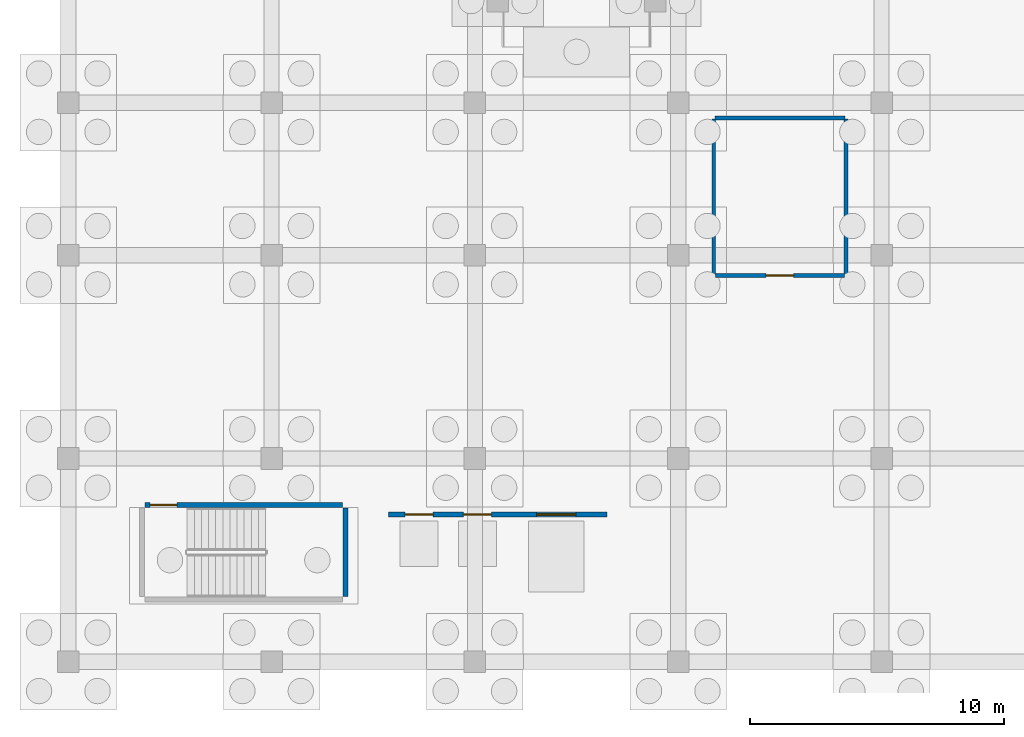
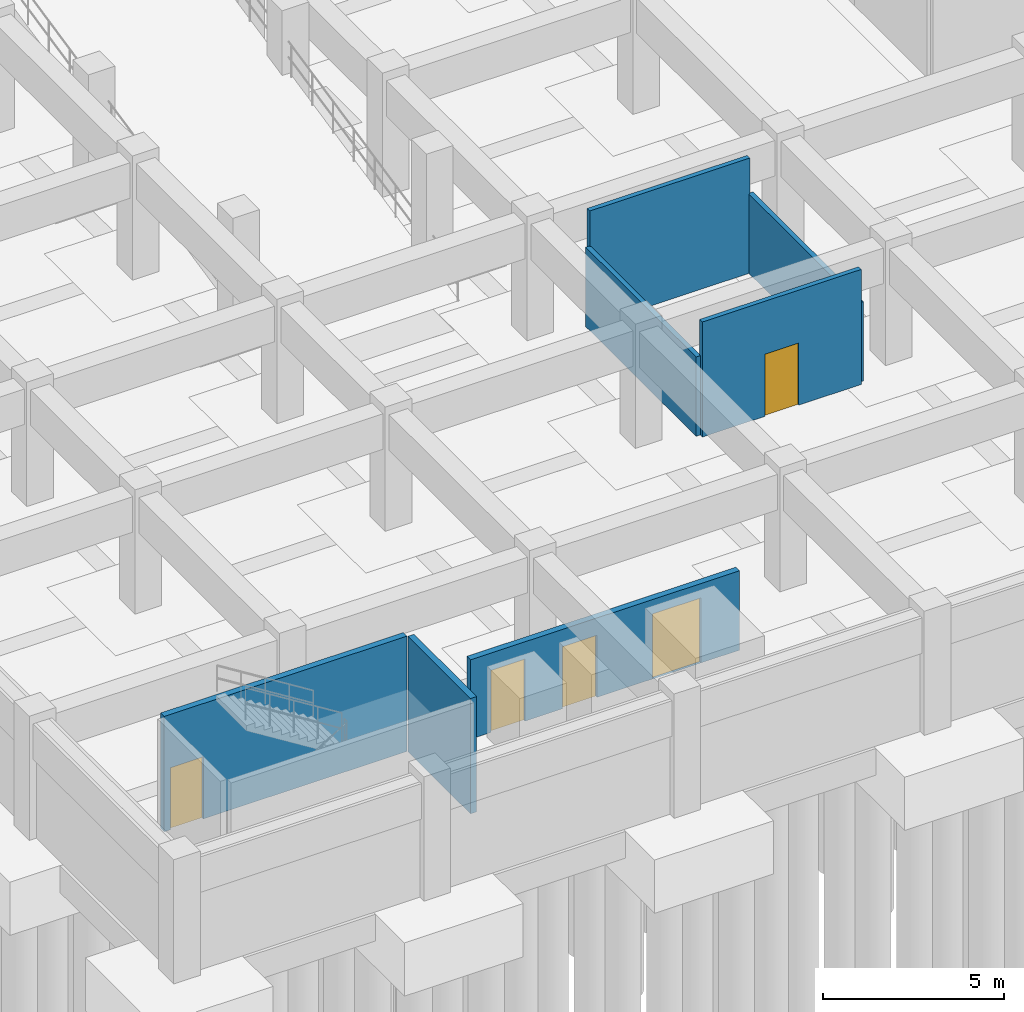
# One storey, part 12 of 23: 7 walls, 5 doors, 5 openings.
"""IFC4 building model written with IfcOpenShell, lengths in metres."""

from ifc_helpers import new_model, si_unit, direction, frame, frame_2d, origin, place, context, subcontext, project, spatial, rectangle, extrude, material, layer, layer_set, type_object, element, fill, save


model = new_model("IFC4")

# Units and contexts
model_context = context("Model", 3, precision=1e-05, world=origin(), true_north=direction((0.0, 1.0)))
body_context = subcontext(model_context, "Body", "Model", "MODEL_VIEW")
ifc_project = project(units=[si_unit("LENGTHUNIT", "METRE"), si_unit("AREAUNIT", "SQUARE_METRE"), si_unit("VOLUMEUNIT", "CUBIC_METRE"), si_unit("PLANEANGLEUNIT", "RADIAN"), si_unit("MASSUNIT", "GRAM", prefix="KILO")], contexts=[model_context])

# Site, building, storey
site_placement = place(None, origin())
site = spatial("IfcSite", under=ifc_project, at=site_placement, CompositionType="ELEMENT")
building_placement = place(site_placement, origin())
building = spatial("IfcBuilding", under=site, at=building_placement, Name="Kelanora Arch Commons", CompositionType="ELEMENT")
storey_placement = place(building_placement, frame((0.0, 0.0, -8.39990234375)))
storey = spatial("IfcBuildingStorey", under=building, at=storey_placement, Name="B02", CompositionType="ELEMENT", Elevation=-8.39990234375)

# Wall, opening, door
ifc_material_1 = material(Name="Autoclaved aerated concrete blockwork with fire plaster", Category="masonry")
ifc_layer_1 = layer(ifc_material_1, 0.14990234375)
ifc_layer_set_1 = layer_set([ifc_layer_1], Name="Autoclaved aerated concrete blockwork with fire plaster")
wall_type_1 = type_object("IfcWallType", Name="W-COMP-150", PredefinedType="PARTITIONING", material=ifc_layer_set_1)
wall_1_placement = place(storey_placement, frame((29.4599609375, 19.199951171875, 0.0), z_axis=(0.0, 0.0, 1.0), x_axis=(1.0, 0.0, 0.0)))
wall_1 = element("IfcWall", 1, at=wall_1_placement, inside=storey, type_object=wall_type_1, Name="Secure Student Cycle Store B02 Entry Partition", PredefinedType="PARTITIONING", context=body_context, shape_type="SweptSolid", body=[
    extrude(rectangle(XDim=5.080078125, YDim=0.14990234375, at=frame_2d((2.5400390625, 0.0))), origin(), (0.0, 0.0, 1.0), 3.889892578125),
])
opening_1_placement = place(wall_1_placement, frame((2.0, 0.0, 0.0)))
opening_1 = element("IfcOpeningElement", 2, at=opening_1_placement, cuts=wall_1, Name="Opening D-PLT1", PredefinedType="OPENING", context=body_context, shape_type="SweptSolid", body=[
    extrude(rectangle(XDim=1.080078125, YDim=2.10009765625, at=frame_2d((0.5400390625, 1.050048828125))), frame((0.0, 0.0849609375, 0.0), z_axis=(0.0, -1.0, 0.0), x_axis=(1.0, 0.0, 0.0)), (0.0, 0.0, 1.0), 0.169921875),
])
ifc_material_2 = material(Name="Galvanised steel plant and riser fire door", Category="steel")
door_type_1 = type_object("IfcDoorType", Name="D-PLT-110", OperationType="NOTDEFINED", PredefinedType="DOOR", material=ifc_material_2)
door_1_placement = place(opening_1_placement, origin())
door_1 = element("IfcDoor", 3, at=door_1_placement, inside=storey, type_object=door_type_1, Name="Secure Student Cycle Store B02 Door", OperationType="SINGLE_SWING_RIGHT", OverallHeight=2.10009765625, OverallWidth=1.080078125, PredefinedType="DOOR", context=body_context, shape_type="SweptSolid", body=[
    extrude(rectangle(XDim=1.080078125, YDim=2.10009765625, at=frame_2d((0.5400390625, 1.050048828125))), frame((0.0, 0.02490234375, 0.0), z_axis=(0.0, -1.0, 0.0), x_axis=(1.0, 0.0, 0.0)), (0.0, 0.0, 1.0), 0.050048828125),
])
fill(opening_1, door_1)

# Walls
wall_2_placement = place(storey_placement, frame((34.60009765625, 19.239990234375, 0.0), z_axis=(0.0, 0.0, 1.0), x_axis=(0.0, 1.0, 0.0)))
element("IfcWall", 4, at=wall_2_placement, inside=storey, type_object=wall_type_1, Name="Secure Student Cycle Store B02 Enclosure Partition 2", PredefinedType="PARTITIONING", context=body_context, shape_type="SweptSolid", body=[
    extrude(rectangle(XDim=6.1201171875, YDim=0.14990234375, at=frame_2d((3.06005859375, 0.0))), origin(), (0.0, 0.0, 1.0), 2.684814453125),
])
wall_3_placement = place(storey_placement, frame((34.56005859375, 25.39990234375, 0.0), z_axis=(0.0, 0.0, 1.0), x_axis=(-1.0, 0.0, 0.0)))
element("IfcWall", 5, at=wall_3_placement, inside=storey, type_object=wall_type_1, Name="Secure Student Cycle Store B02 Enclosure Partition 3", PredefinedType="PARTITIONING", context=body_context, shape_type="SweptSolid", body=[
    extrude(rectangle(XDim=5.1201171875, YDim=0.14990234375, at=frame_2d((2.56005859375, 0.0))), origin(), (0.0, 0.0, 1.0), 3.889892578125),
])
wall_4_placement = place(storey_placement, frame((29.39990234375, 25.360107421875, 0.0), z_axis=(0.0, 0.0, 1.0), x_axis=(0.0, -1.0, 0.0)))
element("IfcWall", 6, at=wall_4_placement, inside=storey, type_object=wall_type_1, Name="Secure Student Cycle Store B02 Enclosure Partition 4", PredefinedType="PARTITIONING", context=body_context, shape_type="SweptSolid", body=[
    extrude(rectangle(XDim=6.1201171875, YDim=0.14990234375, at=frame_2d((3.06005859375, 0.0))), origin(), (0.0, 0.0, 1.0), 2.684814453125),
])

# Wall, openings, doors
ifc_material_3 = material(Name="Concrete C40/50", Category="concrete")
ifc_layer_2 = layer(ifc_material_3, 0.199951171875)
ifc_layer_set_2 = layer_set([ifc_layer_2], Name="Concrete C40/50")
wall_type_2 = type_object("IfcWallType", Name="W-FFL-200", PredefinedType="SOLIDWALL", material=ifc_layer_set_2)
wall_5_placement = place(storey_placement, frame((16.60009765625, 9.800048828125, 0.0), z_axis=(0.0, 0.0, 1.0), x_axis=(1.0, 0.0, 0.0)))
wall_5 = element("IfcWall", 7, at=wall_5_placement, inside=storey, type_object=wall_type_2, Name="Market South Lift Shaft Front B02", PredefinedType="SOLIDWALL", context=body_context, shape_type="SweptSolid", body=[
    extrude(rectangle(XDim=8.599853515625, YDim=0.199951171875, at=frame_2d((4.2998046875, 0.0))), origin(), (0.0, 0.0, 1.0), 2.684814453125),
])
opening_2_placement = place(wall_5_placement, frame((0.64990234375, 0.0, 0.0)))
opening_2 = element("IfcOpeningElement", 8, at=opening_2_placement, cuts=wall_5, Name="Opening LD-01", PredefinedType="OPENING", context=body_context, shape_type="SweptSolid", body=[
    extrude(rectangle(XDim=1.10009765625, YDim=2.10009765625, at=frame_2d((0.550048828125, 1.050048828125))), frame((0.0, 0.10986328125, 0.0), z_axis=(0.0, -1.0, 0.0), x_axis=(1.0, 0.0, 0.0)), (0.0, 0.0, 1.0), 0.219970703125),
])
opening_3_placement = place(wall_5_placement, frame((2.949951171875, 0.0, 0.0)))
opening_3 = element("IfcOpeningElement", 9, at=opening_3_placement, cuts=wall_5, Name="Opening LD-01", PredefinedType="OPENING", context=body_context, shape_type="SweptSolid", body=[
    extrude(rectangle(XDim=1.10009765625, YDim=2.10009765625, at=frame_2d((0.550048828125, 1.050048828125))), frame((0.0, 0.10986328125, 0.0), z_axis=(0.0, -1.0, 0.0), x_axis=(1.0, 0.0, 0.0)), (0.0, 0.0, 1.0), 0.219970703125),
])
opening_4_placement = place(wall_5_placement, frame((5.824951171875, 0.0, 0.0)))
opening_4 = element("IfcOpeningElement", 10, at=opening_4_placement, cuts=wall_5, Name="Opening LD-GD", PredefinedType="OPENING", context=body_context, shape_type="SweptSolid", body=[
    extrude(rectangle(XDim=1.550048828125, YDim=2.199951171875, at=frame_2d((0.77490234375, 1.10009765625))), frame((0.0, 0.10986328125, 0.0), z_axis=(0.0, -1.0, 0.0), x_axis=(1.0, 0.0, 0.0)), (0.0, 0.0, 1.0), 0.219970703125),
])
ifc_material_4 = material(Name="Stainless steel passenger lift sliding landing door", Category="steel")
door_type_2 = type_object("IfcDoorType", Name="D-LIFT-110", OperationType="NOTDEFINED", PredefinedType="DOOR", material=ifc_material_4)
door_2_placement = place(opening_2_placement, origin())
door_2 = element("IfcDoor", 11, at=door_2_placement, inside=storey, type_object=door_type_2, Name="Market Lift LF-MP1 Landing Door B02", OperationType="DOUBLE_DOOR_SLIDING", OverallHeight=2.10009765625, OverallWidth=1.10009765625, PredefinedType="DOOR", context=body_context, shape_type="SweptSolid", body=[
    extrude(rectangle(XDim=1.10009765625, YDim=2.10009765625, at=frame_2d((0.550048828125, 1.050048828125))), frame((0.0, 0.02490234375, 0.0), z_axis=(0.0, -1.0, 0.0), x_axis=(1.0, 0.0, 0.0)), (0.0, 0.0, 1.0), 0.050048828125),
])
fill(opening_2, door_2)
door_3_placement = place(opening_3_placement, origin())
door_3 = element("IfcDoor", 12, at=door_3_placement, inside=storey, type_object=door_type_2, Name="Market Lift LF-MP2 Landing Door B02", OperationType="DOUBLE_DOOR_SLIDING", OverallHeight=2.10009765625, OverallWidth=1.10009765625, PredefinedType="DOOR", context=body_context, shape_type="SweptSolid", body=[
    extrude(rectangle(XDim=1.10009765625, YDim=2.10009765625, at=frame_2d((0.550048828125, 1.050048828125))), frame((0.0, 0.02490234375, 0.0), z_axis=(0.0, -1.0, 0.0), x_axis=(1.0, 0.0, 0.0)), (0.0, 0.0, 1.0), 0.050048828125),
])
fill(opening_3, door_3)
ifc_material_5 = material(Name="Heavy-duty goods lift bi-parting sliding landing door")
door_type_3 = type_object("IfcDoorType", Name="D-LIFT-GDS", OperationType="NOTDEFINED", PredefinedType="DOOR", material=ifc_material_5)
door_4_placement = place(opening_4_placement, origin())
door_4 = element("IfcDoor", 13, at=door_4_placement, inside=storey, type_object=door_type_3, Name="Market Lift LF-MG1 Landing Door B02", OperationType="DOUBLE_DOOR_SLIDING", OverallHeight=2.199951171875, OverallWidth=1.550048828125, PredefinedType="DOOR", context=body_context, shape_type="SweptSolid", body=[
    extrude(rectangle(XDim=1.550048828125, YDim=2.199951171875, at=frame_2d((0.77490234375, 1.10009765625))), frame((0.0, 0.02490234375, 0.0), z_axis=(0.0, -1.0, 0.0), x_axis=(1.0, 0.0, 0.0)), (0.0, 0.0, 1.0), 0.050048828125),
])
fill(opening_4, door_4)

# Wall
ifc_layer_3 = layer(ifc_material_3, 0.199951171875)
ifc_layer_set_3 = layer_set([ifc_layer_3], Name="Concrete C40/50")
wall_type_3 = type_object("IfcWallType", Name="W-STAIR-200", PredefinedType="SHEAR", material=ifc_layer_set_3)
wall_6_placement = place(storey_placement, frame((14.89990234375, 6.580078125, 0.0), z_axis=(0.0, 0.0, 1.0), x_axis=(0.0, 1.0, 0.0)))
element("IfcWall", 14, at=wall_6_placement, inside=storey, type_object=wall_type_3, Name="Stair ST-M1 Shaft Wall E B02", PredefinedType="SHEAR", context=body_context, shape_type="SweptSolid", body=[
    extrude(rectangle(XDim=3.469970703125, YDim=0.199951171875, at=frame_2d((1.73486328125, 0.0))), origin(), (0.0, 0.0, 1.0), 3.89990234375),
])

# Wall, opening, door
wall_7_placement = place(storey_placement, frame((14.780029296875, 10.169921875, 0.0), z_axis=(0.0, 0.0, 1.0), x_axis=(-1.0, 0.0, 0.0)))
wall_7 = element("IfcWall", 15, at=wall_7_placement, inside=storey, type_object=wall_type_3, Name="Stair ST-M1 Shaft Wall N B02", PredefinedType="SHEAR", context=body_context, shape_type="SweptSolid", body=[
    extrude(rectangle(XDim=7.760009765625, YDim=0.199951171875, at=frame_2d((3.8798828125, 0.0))), origin(), (0.0, 0.0, 1.0), 3.89990234375),
])
opening_5_placement = place(wall_7_placement, frame((6.510009765625, 0.0, 0.0)))
opening_5 = element("IfcOpeningElement", 16, at=opening_5_placement, cuts=wall_7, Name="Opening D-ST1", PredefinedType="OPENING", context=body_context, shape_type="SweptSolid", body=[
    extrude(rectangle(XDim=1.050048828125, YDim=2.10009765625, at=frame_2d((0.52490234375, 1.050048828125))), frame((0.0, 0.10986328125, 0.0), z_axis=(0.0, -1.0, 0.0), x_axis=(1.0, 0.0, 0.0)), (0.0, 0.0, 1.0), 0.219970703125),
])
ifc_material_6 = material(Name="Steel fire-rated stairwell escape door", Category="steel")
door_type_4 = type_object("IfcDoorType", Name="D-STAIR-110", OperationType="NOTDEFINED", PredefinedType="DOOR", material=ifc_material_6)
door_5_placement = place(opening_5_placement, origin())
door_5 = element("IfcDoor", 17, at=door_5_placement, inside=storey, type_object=door_type_4, Name="Stair ST-M1 Escape Door B02", OperationType="SINGLE_SWING_RIGHT", OverallHeight=2.10009765625, OverallWidth=1.050048828125, PredefinedType="DOOR", context=body_context, shape_type="SweptSolid", body=[
    extrude(rectangle(XDim=1.050048828125, YDim=2.10009765625, at=frame_2d((0.52490234375, 1.050048828125))), frame((0.0, 0.02490234375, 0.0), z_axis=(0.0, -1.0, 0.0), x_axis=(1.0, 0.0, 0.0)), (0.0, 0.0, 1.0), 0.050048828125),
])
fill(opening_5, door_5)

save(model, "model.ifc")
